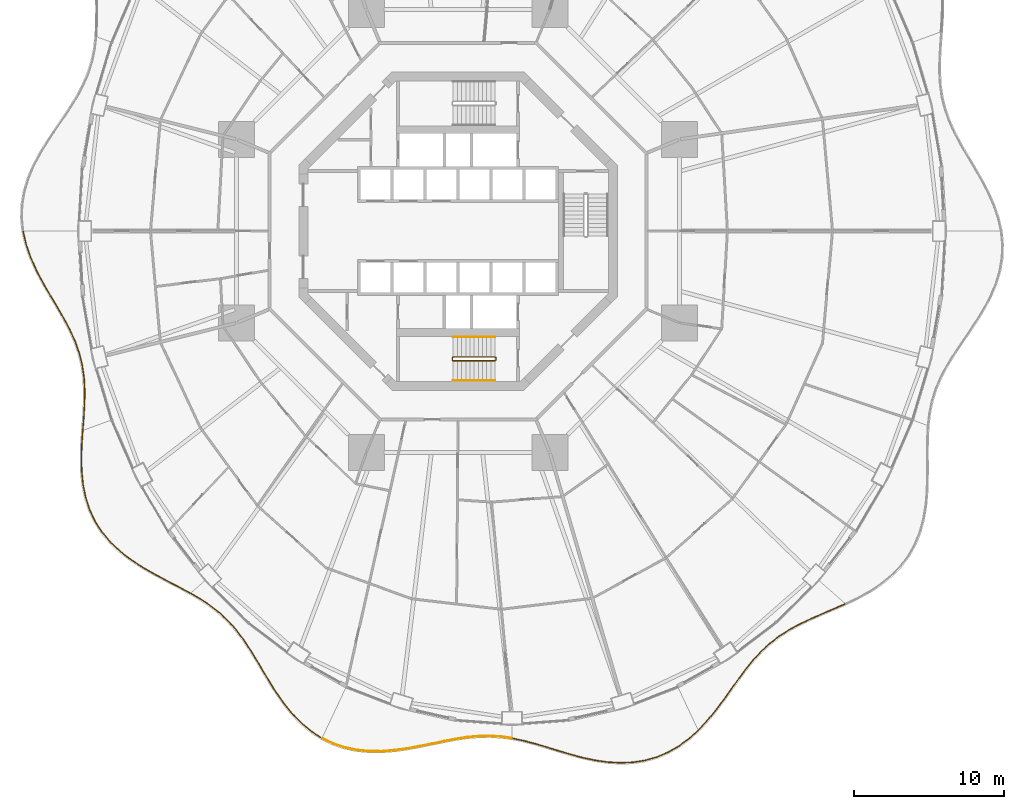
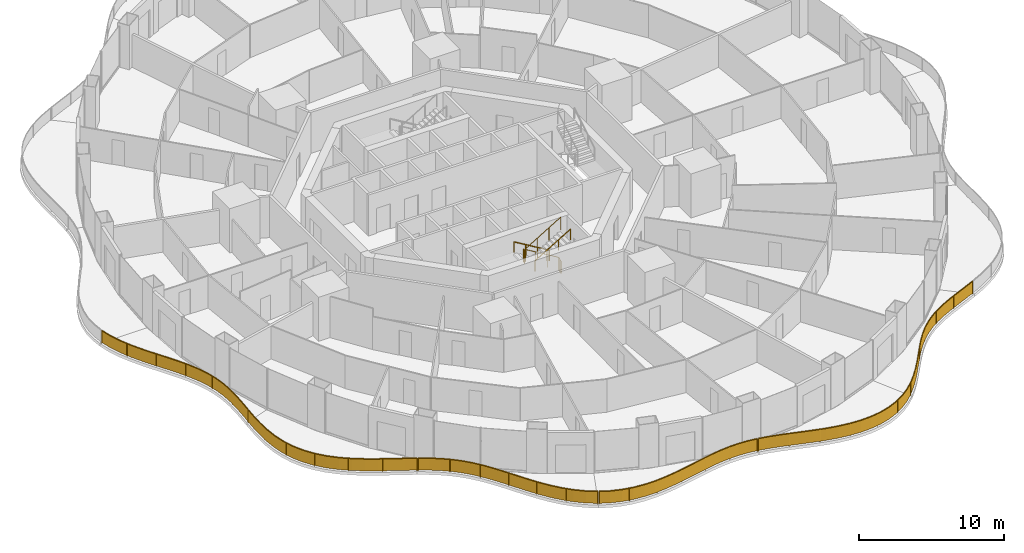
# One storey, part 21 of 23: 9 railings.
"""IFC4 building model written with IfcOpenShell, lengths in metres."""

from ifc_helpers import new_model, si_unit, direction, frame, origin, origin_2d, place, context, subcontext, project, spatial, polyline, rectangle, circle, outline, extrude, material, type_object, element, save


model = new_model("IFC4")

# Units and contexts
model_context = context("Model", 3, precision=1e-05, world=origin(), true_north=direction((0.0, 1.0)))
body_context = subcontext(model_context, "Body", "Model", "MODEL_VIEW")
ifc_project = project(units=[si_unit("LENGTHUNIT", "METRE"), si_unit("AREAUNIT", "SQUARE_METRE"), si_unit("VOLUMEUNIT", "CUBIC_METRE"), si_unit("PLANEANGLEUNIT", "RADIAN"), si_unit("MASSUNIT", "GRAM", prefix="KILO")], contexts=[model_context])

# Site, building, storey
site_placement = place(None, origin())
site = spatial("IfcSite", under=ifc_project, at=site_placement, CompositionType="ELEMENT")
building_placement = place(site_placement, origin())
building = spatial("IfcBuilding", under=site, at=building_placement, Name="Nagisa Residences", CompositionType="ELEMENT")
storey_placement = place(building_placement, frame((0.0, 0.0, 56.60009765625)))
storey = spatial("IfcBuildingStorey", under=building, at=storey_placement, Name="L13", CompositionType="ELEMENT", Elevation=56.60009765625)

# Railings
ifc_material_1 = material(Name="Stainless steel 316", Category="steel")
railing_type_1 = type_object("IfcRailingType", Name="BALCONY GUARD 1100", PredefinedType="BALUSTRADE", material=ifc_material_1)
railing_1_placement = place(storey_placement, frame((-29.011962890625, -0.037841796875, 0.0)))
element("IfcRailing", 1, at=railing_1_placement, inside=storey, type_object=railing_type_1, Name="guard:L13:bal08-0", PredefinedType="BALUSTRADE", context=body_context, shape_type="SweptSolid", body=[
    extrude(outline(polyline([(0.21533203125, -0.829833984375), (0.0244140625, 0.005615234375), (-0.0244140625, -0.005615234375), (0.1669921875, -0.843505859375), (0.46728515625, -1.71533203125), (0.84765625, -2.570068359375), (1.28515625, -3.4052734375), (1.75439453125, -4.220947265625), (2.227294921875, -5.005126953125), (2.68115234375, -5.789794921875), (3.0927734375, -6.56640625), (3.44287109375, -7.3427734375), (3.7197265625, -8.1259765625), (3.91357421875, -8.910400390625), (4.031982421875, -9.729248046875), (4.07861328125, -10.57373046875), (4.0673828125, -11.4462890625), (4.0166015625, -12.345703125), (3.949951171875, -13.2236328125), (3.999755859375, -13.2275390625), (4.06640625, -12.34912109375), (4.1171875, -11.4482421875), (4.12890625, -10.57275390625), (4.081787109375, -9.724365234375), (3.962890625, -8.900634765625), (3.767578125, -8.11181640625), (3.4892578125, -7.32421875), (3.1376953125, -6.54443359375), (2.72509765625, -5.765380859375), (2.270263671875, -4.979736328125), (1.79736328125, -4.195556640625), (1.3291015625, -3.38134765625), (0.892578125, -2.548095703125), (0.513671875, -1.69677734375), (0.21533203125, -0.829833984375)])), frame((0.0, 0.0, 1.050048828125)), (0.0, 0.0, 1.0), 0.050048828125),
    extrude(outline(polyline([(0.197998046875, -0.834716796875), (0.0068359375, 0.00146484375), (-0.0068359375, -0.00146484375), (0.184326171875, -0.838623046875), (0.48388671875, -1.708740234375), (0.86376953125, -2.56201171875), (1.301025390625, -3.396728515625), (1.769775390625, -4.2119140625), (2.24267578125, -4.99609375), (2.697021484375, -5.781005859375), (3.10888671875, -6.55859375), (3.45947265625, -7.336181640625), (3.737060546875, -8.120849609375), (3.931396484375, -8.906982421875), (4.0498046875, -9.7275390625), (4.0966796875, -10.573486328125), (4.085205078125, -11.447021484375), (4.034423828125, -12.346923828125), (3.9677734375, -13.22509765625), (3.98193359375, -13.22607421875), (4.048583984375, -12.347900390625), (4.099365234375, -11.447509765625), (4.11083984375, -10.572998046875), (4.06396484375, -9.72607421875), (3.945068359375, -8.904052734375), (3.750244140625, -8.116943359375), (3.47265625, -7.330810546875), (3.12158203125, -6.55224609375), (2.709228515625, -5.774169921875), (2.2548828125, -4.98876953125), (1.781982421875, -4.20458984375), (1.313232421875, -3.389892578125), (0.87646484375, -2.55615234375), (0.4970703125, -1.703369140625), (0.197998046875, -0.834716796875)])), frame((0.0, 0.0, 0.06005859375)), (0.0, 0.0, 1.0), 0.989990234375),
    extrude(rectangle(XDim=0.0400390625, YDim=0.0400390625, at=origin_2d()), origin(), (0.0, 0.0, 1.0), 1.050048828125),
    extrude(rectangle(XDim=0.0400390625, YDim=0.0400390625, at=origin_2d()), frame((0.72509765625, -2.233154296875, 0.0)), (0.0, 0.0, 1.0), 1.050048828125),
    extrude(rectangle(XDim=0.0400390625, YDim=0.0400390625, at=origin_2d()), frame((1.835693359375, -4.307373046875, 0.0)), (0.0, 0.0, 1.0), 1.050048828125),
    extrude(rectangle(XDim=0.0400390625, YDim=0.0400390625, at=origin_2d()), frame((3.00634765625, -6.349609375, 0.0)), (0.0, 0.0, 1.0), 1.050048828125),
    extrude(rectangle(XDim=0.0400390625, YDim=0.0400390625, at=origin_2d()), frame((3.84814453125, -8.541259765625, 0.0)), (0.0, 0.0, 1.0), 1.050048828125),
    extrude(rectangle(XDim=0.0400390625, YDim=0.0400390625, at=origin_2d()), frame((4.099853515625, -10.875, 0.0)), (0.0, 0.0, 1.0), 1.050048828125),
    extrude(rectangle(XDim=0.0400390625, YDim=0.0400390625, at=origin_2d()), frame((3.974853515625, -13.2255859375, 0.0)), (0.0, 0.0, 1.0), 1.050048828125),
])
railing_2_placement = place(storey_placement, frame((-25.044189453125, -13.33935546875, 0.0)))
element("IfcRailing", 2, at=railing_2_placement, inside=storey, type_object=railing_type_1, Name="guard:L13:bal09-0", PredefinedType="BALUSTRADE", context=body_context, shape_type="SweptSolid", body=[
    extrude(outline(polyline([(-0.033447265625, -0.865966796875), (0.02490234375, -0.001708984375), (-0.02490234375, 0.001708984375), (-0.083251953125, -0.863525390625), (-0.11279296875, -1.780517578125), (-0.090576171875, -2.69384765625), (0.001953125, -3.593017578125), (0.180419921875, -4.465087890625), (0.44873046875, -5.286865234375), (0.82470703125, -6.073974609375), (1.301513671875, -6.8056640625), (1.87255859375, -7.477783203125), (2.5263671875, -8.089111328125), (3.239501953125, -8.629638671875), (4.009765625, -9.130859375), (4.809326171875, -9.590576171875), (5.61767578125, -10.020751953125), (6.415771484375, -10.436279296875), (7.14892578125, -10.830322265625), (7.1728515625, -10.786376953125), (6.439208984375, -10.391845703125), (5.64111328125, -9.976318359375), (4.833740234375, -9.546630859375), (4.0361328125, -9.08837890625), (3.268310546875, -8.588623046875), (2.55859375, -8.051025390625), (1.90869140625, -7.443115234375), (1.341552734375, -6.77587890625), (0.86865234375, -6.049560546875), (0.4951171875, -5.268310546875), (0.228759765625, -4.452392578125), (0.05126953125, -3.585205078125), (-0.040771484375, -2.69091796875), (-0.0625, -1.780517578125), (-0.033447265625, -0.865966796875)])), frame((0.0, 0.0, 1.050048828125)), (0.0, 0.0, 1.0), 0.050048828125),
    extrude(outline(polyline([(-0.05126953125, -0.864990234375), (0.007080078125, -0.00048828125), (-0.007080078125, 0.00048828125), (-0.0654296875, -0.864501953125), (-0.0947265625, -1.780517578125), (-0.07275390625, -2.69287109375), (0.019775390625, -3.590087890625), (0.19775390625, -4.46044921875), (0.46533203125, -5.2802734375), (0.840576171875, -6.065185546875), (1.31591796875, -6.794921875), (1.885498046875, -7.46533203125), (2.5380859375, -8.075439453125), (3.25, -8.61474609375), (4.019287109375, -9.115478515625), (4.818115234375, -9.57470703125), (5.626220703125, -10.004638671875), (6.42431640625, -10.420166015625), (7.157470703125, -10.814453125), (7.164306640625, -10.80224609375), (6.4306640625, -10.407958984375), (5.632568359375, -9.992431640625), (4.824951171875, -9.5625), (4.026611328125, -9.103759765625), (3.2578125, -8.603515625), (2.546875, -8.064697265625), (1.895751953125, -7.45556640625), (1.3271484375, -6.78662109375), (0.852783203125, -6.058349609375), (0.478515625, -5.27490234375), (0.21142578125, -4.45703125), (0.033447265625, -3.588134765625), (-0.05859375, -2.69189453125), (-0.08056640625, -1.780517578125), (-0.05126953125, -0.864990234375)])), frame((0.0, 0.0, 0.06005859375)), (0.0, 0.0, 1.0), 0.989990234375),
    extrude(rectangle(XDim=0.0400390625, YDim=0.0400390625, at=origin_2d()), origin(), (0.0, 0.0, 1.0), 1.050048828125),
    extrude(rectangle(XDim=0.0400390625, YDim=0.0400390625, at=origin_2d()), frame((-0.073486328125, -2.369873046875, 0.0)), (0.0, 0.0, 1.0), 1.050048828125),
    extrude(rectangle(XDim=0.0400390625, YDim=0.0400390625, at=origin_2d()), frame((0.285400390625, -4.70654296875, 0.0)), (0.0, 0.0, 1.0), 1.050048828125),
    extrude(rectangle(XDim=0.0400390625, YDim=0.0400390625, at=origin_2d()), frame((1.3427734375, -6.815673828125, 0.0)), (0.0, 0.0, 1.0), 1.050048828125),
    extrude(rectangle(XDim=0.0400390625, YDim=0.0400390625, at=origin_2d()), frame((3.047607421875, -8.452880859375, 0.0)), (0.0, 0.0, 1.0), 1.050048828125),
    extrude(rectangle(XDim=0.0400390625, YDim=0.0400390625, at=origin_2d()), frame((5.064453125, -9.69775390625, 0.0)), (0.0, 0.0, 1.0), 1.050048828125),
    extrude(rectangle(XDim=0.0400390625, YDim=0.0400390625, at=origin_2d()), frame((7.160888671875, -10.808349609375, 0.0)), (0.0, 0.0, 1.0), 1.050048828125),
])
railing_3_placement = place(storey_placement, frame((-17.81787109375, -24.18212890625, 0.0)))
element("IfcRailing", 3, at=railing_3_placement, inside=storey, type_object=railing_type_1, Name="guard:L13:bal10-0", PredefinedType="BALUSTRADE", context=body_context, shape_type="SweptSolid", body=[
    extrude(outline(polyline([(0.674072265625, -0.367431640625), (0.0126953125, 0.021484375), (-0.0126953125, -0.021484375), (0.647216796875, -0.409912109375), (1.30029296875, -0.848876953125), (1.90478515625, -1.325439453125), (2.46142578125, -1.84716796875), (2.973876953125, -2.418701171875), (3.43798828125, -3.0302734375), (3.88818359375, -3.69921875), (4.32421875, -4.4072265625), (4.76025390625, -5.1435546875), (5.209228515625, -5.893798828125), (5.67041015625, -6.631103515625), (6.1826171875, -7.356201171875), (6.740966796875, -8.041015625), (7.35107421875, -8.66748046875), (8.015869140625, -9.22021484375), (8.69287109375, -9.659912109375), (8.72021484375, -9.617919921875), (8.045654296875, -9.1796875), (7.38525390625, -8.630859375), (6.778564453125, -8.0078125), (6.22265625, -7.325927734375), (5.7119140625, -6.603271484375), (5.251708984375, -5.867431640625), (4.80322265625, -5.1181640625), (4.3671875, -4.38134765625), (3.93017578125, -3.671875), (3.478515625, -3.0009765625), (3.012451171875, -2.386962890625), (2.4970703125, -1.81201171875), (1.9375, -1.287353515625), (1.32958984375, -0.808349609375), (0.674072265625, -0.367431640625)])), frame((0.0, 0.0, 1.050048828125)), (0.0, 0.0, 1.0), 0.050048828125),
    extrude(outline(polyline([(0.664306640625, -0.3828125), (0.003662109375, 0.006103515625), (-0.003662109375, -0.006103515625), (0.656982421875, -0.39453125), (1.310791015625, -0.834228515625), (1.91650390625, -1.311767578125), (2.47412109375, -1.83447265625), (2.98779296875, -2.4072265625), (3.45263671875, -3.019775390625), (3.9033203125, -3.689453125), (4.339599609375, -4.39794921875), (4.775634765625, -5.134521484375), (5.224609375, -5.88427734375), (5.685302734375, -6.62109375), (6.197021484375, -7.34521484375), (6.754638671875, -8.029052734375), (7.363525390625, -8.654296875), (8.026611328125, -9.20556640625), (8.70263671875, -9.644775390625), (8.71044921875, -9.633056640625), (8.034912109375, -9.1943359375), (7.372802734375, -8.64404296875), (6.764892578125, -8.019775390625), (6.208251953125, -7.3369140625), (5.697021484375, -6.61328125), (5.236328125, -5.876953125), (4.787841796875, -5.127197265625), (4.351806640625, -4.390625), (3.9150390625, -3.681640625), (3.4638671875, -3.011474609375), (2.99853515625, -2.3984375), (2.484375, -1.82470703125), (1.92578125, -1.301025390625), (1.319091796875, -0.822998046875), (0.664306640625, -0.3828125)])), frame((0.0, 0.0, 0.06005859375)), (0.0, 0.0, 1.0), 0.989990234375),
    extrude(rectangle(XDim=0.0400390625, YDim=0.0400390625, at=origin_2d()), origin(), (0.0, 0.0, 1.0), 1.050048828125),
    extrude(rectangle(XDim=0.0400390625, YDim=0.0400390625, at=origin_2d()), frame((1.818603515625, -1.2255859375, 0.0)), (0.0, 0.0, 1.0), 1.050048828125),
    extrude(rectangle(XDim=0.0400390625, YDim=0.0400390625, at=origin_2d()), frame((3.31396484375, -2.825439453125, 0.0)), (0.0, 0.0, 1.0), 1.050048828125),
    extrude(rectangle(XDim=0.0400390625, YDim=0.0400390625, at=origin_2d()), frame((4.507568359375, -4.66748046875, 0.0)), (0.0, 0.0, 1.0), 1.050048828125),
    extrude(rectangle(XDim=0.0400390625, YDim=0.0400390625, at=origin_2d()), frame((5.646240234375, -6.54541015625, 0.0)), (0.0, 0.0, 1.0), 1.050048828125),
    extrude(rectangle(XDim=0.0400390625, YDim=0.0400390625, at=origin_2d()), frame((6.999267578125, -8.2705078125, 0.0)), (0.0, 0.0, 1.0), 1.050048828125),
    extrude(rectangle(XDim=0.0400390625, YDim=0.0400390625, at=origin_2d()), frame((8.70654296875, -9.638916015625, 0.0)), (0.0, 0.0, 1.0), 1.050048828125),
])
railing_4_placement = place(storey_placement, frame((-9.0439453125, -33.859130859375, 0.0)))
element("IfcRailing", 4, at=railing_4_placement, inside=storey, type_object=railing_type_1, Name="guard:L13:bal11-0", PredefinedType="BALUSTRADE", context=body_context, shape_type="SweptSolid", body=[
    extrude(outline(polyline([(0.703857421875, -0.313232421875), (0.010986328125, 0.0224609375), (-0.010986328125, -0.0224609375), (0.684814453125, -0.359619140625), (1.46533203125, -0.624267578125), (2.2783203125, -0.7958984375), (3.115234375, -0.87890625), (3.966552734375, -0.88232421875), (4.80615234375, -0.8125), (5.658935546875, -0.695556640625), (6.501220703125, -0.54345703125), (7.327880859375, -0.37451171875), (8.135498046875, -0.207275390625), (8.90576171875, -0.056396484375), (9.6748046875, 0.05810546875), (10.428466796875, 0.126708984375), (11.171142578125, 0.140869140625), (11.9091796875, 0.096923828125), (12.60595703125, 0.000244140625), (12.61279296875, 0.050048828125), (11.9140625, 0.146728515625), (11.172119140625, 0.191162109375), (10.425537109375, 0.176513671875), (9.6689453125, 0.10791015625), (8.8974609375, -0.007080078125), (8.125732421875, -0.158447265625), (7.317626953125, -0.32568359375), (6.491943359375, -0.494140625), (5.651123046875, -0.646240234375), (4.80078125, -0.7626953125), (3.964599609375, -0.83203125), (3.11767578125, -0.8291015625), (2.2861328125, -0.74658203125), (1.478515625, -0.575927734375), (0.703857421875, -0.313232421875)])), frame((0.0, 0.0, 1.050048828125)), (0.0, 0.0, 1.0), 0.050048828125),
    extrude(outline(polyline([(0.697021484375, -0.329833984375), (0.003173828125, 0.00634765625), (-0.003173828125, -0.00634765625), (0.691650390625, -0.343017578125), (1.469970703125, -0.60693359375), (2.28125, -0.778076171875), (3.1162109375, -0.861083984375), (3.9658203125, -0.8642578125), (4.80419921875, -0.794677734375), (5.656005859375, -0.677734375), (6.497802734375, -0.525634765625), (7.32421875, -0.35693359375), (8.132080078125, -0.189697265625), (8.90283203125, -0.03857421875), (9.672607421875, 0.076171875), (10.427490234375, 0.14453125), (11.17138671875, 0.158935546875), (11.910888671875, 0.11474609375), (12.6083984375, 0.018310546875), (12.6103515625, 0.031982421875), (11.912353515625, 0.12890625), (11.171875, 0.173095703125), (10.426513671875, 0.15869140625), (9.671142578125, 0.08984375), (8.900390625, -0.02490234375), (8.129150390625, -0.176025390625), (7.3212890625, -0.34326171875), (6.495361328125, -0.511962890625), (5.654052734375, -0.6640625), (4.802734375, -0.780517578125), (3.96533203125, -0.85009765625), (3.11669921875, -0.846923828125), (2.283203125, -0.764404296875), (1.473876953125, -0.59326171875), (0.697021484375, -0.329833984375)])), frame((0.0, 0.0, 0.06005859375)), (0.0, 0.0, 1.0), 0.989990234375),
    extrude(rectangle(XDim=0.0400390625, YDim=0.0400390625, at=origin_2d()), origin(), (0.0, 0.0, 1.0), 1.050048828125),
    extrude(rectangle(XDim=0.0400390625, YDim=0.0400390625, at=origin_2d()), frame((2.00830078125, -0.71337890625, 0.0)), (0.0, 0.0, 1.0), 1.050048828125),
    extrude(rectangle(XDim=0.0400390625, YDim=0.0400390625, at=origin_2d()), frame((4.138427734375, -0.8427734375, 0.0)), (0.0, 0.0, 1.0), 1.050048828125),
    extrude(rectangle(XDim=0.0400390625, YDim=0.0400390625, at=origin_2d()), frame((6.25927734375, -0.561767578125, 0.0)), (0.0, 0.0, 1.0), 1.050048828125),
    extrude(rectangle(XDim=0.0400390625, YDim=0.0400390625, at=origin_2d()), frame((8.357666015625, -0.138427734375, 0.0)), (0.0, 0.0, 1.0), 1.050048828125),
    extrude(rectangle(XDim=0.0400390625, YDim=0.0400390625, at=origin_2d()), frame((10.4765625, 0.152587890625, 0.0)), (0.0, 0.0, 1.0), 1.050048828125),
    extrude(rectangle(XDim=0.0400390625, YDim=0.0400390625, at=origin_2d()), frame((12.609375, 0.025146484375, 0.0)), (0.0, 0.0, 1.0), 1.050048828125),
])
railing_5_placement = place(storey_placement, frame((3.63427734375, -33.847412109375, 0.0)))
element("IfcRailing", 5, at=railing_5_placement, inside=storey, type_object=railing_type_1, Name="guard:L13:bal12-0", PredefinedType="BALUSTRADE", context=body_context, shape_type="SweptSolid", body=[
    extrude(outline(polyline([(0.7109375, -0.122802734375), (0.005126953125, 0.0244140625), (-0.005126953125, -0.0244140625), (0.69970703125, -0.171630859375), (1.45947265625, -0.3701171875), (2.23583984375, -0.599609375), (3.03125, -0.843994140625), (3.84521484375, -1.085693359375), (4.658203125, -1.30810546875), (5.501220703125, -1.487548828125), (6.3505859375, -1.609375), (7.19873046875, -1.658447265625), (8.037353515625, -1.622314453125), (8.8408203125, -1.498291015625), (9.634033203125, -1.2724609375), (10.393310546875, -0.949951171875), (11.112060546875, -0.5361328125), (11.787353515625, -0.0400390625), (12.38037109375, 0.49609375), (12.3466796875, 0.533203125), (11.755615234375, -0.0009765625), (11.084716796875, -0.494140625), (10.370849609375, -0.905029296875), (9.617431640625, -1.22509765625), (8.830078125, -1.449462890625), (8.032470703125, -1.572509765625), (7.19921875, -1.608154296875), (6.35546875, -1.5595703125), (5.510009765625, -1.438232421875), (4.669921875, -1.25927734375), (3.85888671875, -1.037353515625), (3.0458984375, -0.796142578125), (2.25048828125, -0.5517578125), (1.47265625, -0.32177734375), (0.7109375, -0.122802734375)])), frame((0.0, 0.0, 1.050048828125)), (0.0, 0.0, 1.0), 0.050048828125),
    extrude(outline(polyline([(0.70703125, -0.140380859375), (0.00146484375, 0.0068359375), (-0.00146484375, -0.0068359375), (0.70361328125, -0.154052734375), (1.464111328125, -0.352783203125), (2.2412109375, -0.582275390625), (3.03662109375, -0.82666015625), (3.85009765625, -1.068359375), (4.662353515625, -1.29052734375), (5.50439453125, -1.4697265625), (6.352294921875, -1.591552734375), (7.198974609375, -1.640380859375), (8.03564453125, -1.6044921875), (8.8369140625, -1.480712890625), (9.628173828125, -1.25537109375), (10.38525390625, -0.933837890625), (11.102294921875, -0.52099609375), (11.77587890625, -0.02587890625), (12.3681640625, 0.509521484375), (12.35888671875, 0.519775390625), (11.76708984375, -0.01513671875), (11.094482421875, -0.50927734375), (10.37890625, -0.921142578125), (9.623291015625, -1.2421875), (8.833984375, -1.467041015625), (8.0341796875, -1.59033203125), (7.198974609375, -1.626220703125), (6.353759765625, -1.577392578125), (5.5068359375, -1.4560546875), (4.665771484375, -1.27685546875), (3.85400390625, -1.0546875), (3.04052734375, -0.8134765625), (2.2451171875, -0.569091796875), (1.468017578125, -0.339111328125), (0.70703125, -0.140380859375)])), frame((0.0, 0.0, 0.06005859375)), (0.0, 0.0, 1.0), 0.989990234375),
    extrude(rectangle(XDim=0.0400390625, YDim=0.0400390625, at=origin_2d()), origin(), (0.0, 0.0, 1.0), 1.050048828125),
    extrude(rectangle(XDim=0.0400390625, YDim=0.0400390625, at=origin_2d()), frame((2.123291015625, -0.540283203125, 0.0)), (0.0, 0.0, 1.0), 1.050048828125),
    extrude(rectangle(XDim=0.0400390625, YDim=0.0400390625, at=origin_2d()), frame((4.22509765625, -1.16357421875, 0.0)), (0.0, 0.0, 1.0), 1.050048828125),
    extrude(rectangle(XDim=0.0400390625, YDim=0.0400390625, at=origin_2d()), frame((6.37353515625, -1.585693359375, 0.0)), (0.0, 0.0, 1.0), 1.050048828125),
    extrude(rectangle(XDim=0.0400390625, YDim=0.0400390625, at=origin_2d()), frame((8.5576171875, -1.516845703125, 0.0)), (0.0, 0.0, 1.0), 1.050048828125),
    extrude(rectangle(XDim=0.0400390625, YDim=0.0400390625, at=origin_2d()), frame((10.614013671875, -0.7939453125, 0.0)), (0.0, 0.0, 1.0), 1.050048828125),
    extrude(rectangle(XDim=0.0400390625, YDim=0.0400390625, at=origin_2d()), frame((12.363525390625, 0.5146484375, 0.0)), (0.0, 0.0, 1.0), 1.050048828125),
])
railing_6_placement = place(storey_placement, frame((16.052490234375, -33.278076171875, 0.0)))
element("IfcRailing", 6, at=railing_6_placement, inside=storey, type_object=railing_type_1, Name="guard:L13:bal13-0", PredefinedType="BALUSTRADE", context=body_context, shape_type="SweptSolid", body=[
    extrude(outline(polyline([(0.55419921875, 0.62841796875), (-0.018310546875, 0.01708984375), (0.018310546875, -0.01708984375), (0.591796875, 0.59521484375), (1.158203125, 1.281494140625), (1.6904296875, 1.988525390625), (2.1982421875, 2.69775390625), (2.693603515625, 3.3916015625), (3.175048828125, 4.04541015625), (3.6826171875, 4.66650390625), (4.214111328125, 5.237548828125), (4.779052734375, 5.75537109375), (5.384521484375, 6.221435546875), (6.0224609375, 6.629638671875), (6.71728515625, 7.009521484375), (7.453125, 7.3623046875), (8.22216796875, 7.70068359375), (9.013916015625, 8.03955078125), (9.773193359375, 8.372314453125), (9.753173828125, 8.418212890625), (8.993896484375, 8.08544921875), (8.2021484375, 7.74658203125), (7.43212890625, 7.40771484375), (6.6943359375, 7.053955078125), (5.9970703125, 6.672607421875), (5.355712890625, 6.262451171875), (4.746826171875, 5.7939453125), (4.178955078125, 5.273193359375), (3.64501953125, 4.69921875), (3.135498046875, 4.076171875), (2.653076171875, 3.4208984375), (2.15771484375, 2.72705078125), (1.64990234375, 2.018310546875), (1.11865234375, 1.312255859375), (0.55419921875, 0.62841796875)])), frame((0.0, 0.0, 1.050048828125)), (0.0, 0.0, 1.0), 0.050048828125),
    extrude(outline(polyline([(0.567626953125, 0.616455078125), (-0.005126953125, 0.0048828125), (0.005126953125, -0.0048828125), (0.578369140625, 0.607177734375), (1.14404296875, 1.29248046875), (1.67578125, 1.999267578125), (2.18359375, 2.708251953125), (2.678955078125, 3.402099609375), (3.160888671875, 4.056396484375), (3.669189453125, 4.67822265625), (4.201416015625, 5.25048828125), (4.767333984375, 5.769287109375), (5.3740234375, 6.236328125), (6.013427734375, 6.64501953125), (6.708984375, 7.025390625), (7.445556640625, 7.378662109375), (8.21484375, 7.71728515625), (9.006591796875, 8.05615234375), (9.76611328125, 8.388916015625), (9.76025390625, 8.401611328125), (9.001220703125, 8.06884765625), (8.20947265625, 7.72998046875), (7.439697265625, 7.391357421875), (6.70263671875, 7.0380859375), (6.006103515625, 6.6572265625), (5.3662109375, 6.24755859375), (4.758544921875, 5.780029296875), (4.191650390625, 5.26025390625), (3.658447265625, 4.6875), (3.149658203125, 4.065185546875), (2.667724609375, 3.410400390625), (2.17236328125, 2.716552734375), (1.66455078125, 2.007568359375), (1.1328125, 1.30126953125), (0.567626953125, 0.616455078125)])), frame((0.0, 0.0, 0.06005859375)), (0.0, 0.0, 1.0), 0.989990234375),
    extrude(rectangle(XDim=0.0400390625, YDim=0.0400390625, at=origin_2d()), origin(), (0.0, 0.0, 1.0), 1.050048828125),
    extrude(rectangle(XDim=0.0400390625, YDim=0.0400390625, at=origin_2d()), frame((1.420166015625, 1.671142578125, 0.0)), (0.0, 0.0, 1.0), 1.050048828125),
    extrude(rectangle(XDim=0.0400390625, YDim=0.0400390625, at=origin_2d()), frame((2.70556640625, 3.449951171875, 0.0)), (0.0, 0.0, 1.0), 1.050048828125),
    extrude(rectangle(XDim=0.0400390625, YDim=0.0400390625, at=origin_2d()), frame((4.094970703125, 5.146240234375, 0.0)), (0.0, 0.0, 1.0), 1.050048828125),
    extrude(rectangle(XDim=0.0400390625, YDim=0.0400390625, at=origin_2d()), frame((5.800537109375, 6.517333984375, 0.0)), (0.0, 0.0, 1.0), 1.050048828125),
    extrude(rectangle(XDim=0.0400390625, YDim=0.0400390625, at=origin_2d()), frame((7.750244140625, 7.520263671875, 0.0)), (0.0, 0.0, 1.0), 1.050048828125),
    extrude(rectangle(XDim=0.0400390625, YDim=0.0400390625, at=origin_2d()), frame((9.76318359375, 8.395263671875, 0.0)), (0.0, 0.0, 1.0), 1.050048828125),
])
ifc_material_2 = material(Name="Stainless steel", Category="steel")
railing_type_2 = type_object("IfcRailingType", Name="Stair guard 1100", PredefinedType="GUARDRAIL", material=ifc_material_2)
railing_7_placement = place(storey_placement, frame((2.52490234375, -8.599609375, 0.0)))
element("IfcRailing", 7, at=railing_7_placement, inside=storey, type_object=railing_type_2, Name="L13 ST-S stair guard 1", PredefinedType="GUARDRAIL", context=body_context, shape_type="SweptSolid", body=[
    extrude(circle(Radius=0.02392578125, at=origin_2d()), frame((0.0, 0.0, 1.076171875), z_axis=(0.0, 1.0, 0.0), x_axis=(-1.0, 0.0, 0.0)), (0.0, 0.0, 1.0), 0.14990234375),
    extrude(circle(Radius=0.02392578125, at=origin_2d()), frame((0.0, 0.14990234375, 1.076171875), z_axis=(-0.273343290215, 0.274683208305, 0.921863645432), x_axis=(-0.708833529934, -0.705375805398, 0.0)), (0.0, 0.0, 1.0), 0.18212890625),
    extrude(circle(Radius=0.02392578125, at=origin_2d()), frame((-0.0498046875, 0.199951171875, 1.244140625), z_axis=(-0.857242210791, 0.0, 0.514913383045), x_axis=(0.0, -1.0, 0.0)), (0.0, 0.0, 1.0), 3.266357421875),
    extrude(circle(Radius=0.02392578125, at=origin_2d()), frame((-2.849853515625, 0.199951171875, 2.92578125), z_axis=(-0.707106781187, -0.707106781187, 0.0), x_axis=(0.707106781187, -0.707106781187, 0.0)), (0.0, 0.0, 1.0), 0.07080078125),
    extrude(circle(Radius=0.02392578125, at=origin_2d()), frame((-2.89990234375, 0.14990234375, 2.92578125), z_axis=(0.0, -1.0, 0.0), x_axis=(1.0, 0.0, 0.0)), (0.0, 0.0, 1.0), 0.14990234375),
    extrude(circle(Radius=0.02392578125, at=origin_2d()), frame((-2.89990234375, 0.0, 2.92578125), z_axis=(0.274243871929, -0.274243871929, 0.92172696468), x_axis=(0.707106781187, 0.707106781187, 0.0)), (0.0, 0.0, 1.0), 0.1826171875),
    extrude(circle(Radius=0.02392578125, at=origin_2d()), frame((-2.849853515625, -0.050048828125, 3.09423828125), z_axis=(0.857242210791, 0.0, 0.514913383045), x_axis=(0.0, 1.0, 0.0)), (0.0, 0.0, 1.0), 3.266357421875),
    extrude(circle(Radius=0.02099609375, at=origin_2d()), origin(), (0.0, 0.0, 1.0), 1.052001953125),
    extrude(circle(Radius=0.02099609375, at=origin_2d()), frame((0.0, 0.14990234375, 0.0)), (0.0, 0.0, 1.0), 1.052001953125),
    extrude(circle(Radius=0.02099609375, at=origin_2d()), frame((-0.0498046875, 0.199951171875, 0.16796875)), (0.0, 0.0, 1.0), 1.052001953125),
    extrude(circle(Radius=0.02099609375, at=origin_2d()), frame((-0.983154296875, 0.199951171875, 0.728515625)), (0.0, 0.0, 1.0), 1.052001953125),
    extrude(circle(Radius=0.02099609375, at=origin_2d()), frame((-1.91650390625, 0.199951171875, 1.289306640625)), (0.0, 0.0, 1.0), 1.052001953125),
    extrude(circle(Radius=0.02099609375, at=origin_2d()), frame((-2.849853515625, 0.199951171875, 1.849853515625)), (0.0, 0.0, 1.0), 1.052001953125),
    extrude(circle(Radius=0.02099609375, at=origin_2d()), frame((-2.89990234375, 0.14990234375, 1.849853515625)), (0.0, 0.0, 1.0), 1.052001953125),
    extrude(circle(Radius=0.02099609375, at=origin_2d()), frame((-2.89990234375, 0.0, 1.849853515625)), (0.0, 0.0, 1.0), 1.052001953125),
    extrude(circle(Radius=0.02099609375, at=origin_2d()), frame((-2.849853515625, -0.050048828125, 2.01806640625)), (0.0, 0.0, 1.0), 1.052001953125),
    extrude(circle(Radius=0.02099609375, at=origin_2d()), frame((-1.91650390625, -0.050048828125, 2.57861328125)), (0.0, 0.0, 1.0), 1.052001953125),
    extrude(circle(Radius=0.02099609375, at=origin_2d()), frame((-0.983154296875, -0.050048828125, 3.139404296875)), (0.0, 0.0, 1.0), 1.052001953125),
    extrude(circle(Radius=0.02099609375, at=origin_2d()), frame((-0.0498046875, -0.050048828125, 3.699951171875)), (0.0, 0.0, 1.0), 1.052001953125),
])
ifc_material_3 = material(Name="Stainless steel", Category="steel")
railing_type_3 = type_object("IfcRailingType", Name="Stair handrail 900", PredefinedType="HANDRAIL", material=ifc_material_3)
railing_8_placement = place(storey_placement, frame((2.47509765625, -7.07470703125, 0.16796875)))
element("IfcRailing", 8, at=railing_8_placement, inside=storey, type_object=railing_type_3, Name="L13 ST-S stair handrail 1", PredefinedType="HANDRAIL", context=body_context, shape_type="SweptSolid", body=[
    extrude(circle(Radius=0.02392578125, at=origin_2d()), frame((0.0, 0.0, 0.8759765625), z_axis=(-0.857242210791, 0.0, 0.514913383045), x_axis=(0.0, -1.0, 0.0)), (0.0, 0.0, 1.0), 3.266357421875),
    extrude(circle(Radius=0.02099609375, at=origin_2d()), origin(), (0.0, 0.0, 1.0), 0.851806640625),
    extrude(circle(Radius=0.02099609375, at=origin_2d()), frame((-0.933349609375, 0.0, 0.560546875)), (0.0, 0.0, 1.0), 0.851806640625),
    extrude(circle(Radius=0.02099609375, at=origin_2d()), frame((-1.86669921875, 0.0, 1.121337890625)), (0.0, 0.0, 1.0), 0.851806640625),
    extrude(circle(Radius=0.02099609375, at=origin_2d()), frame((-2.800048828125, 0.0, 1.681884765625)), (0.0, 0.0, 1.0), 0.851806640625),
])
railing_9_placement = place(storey_placement, frame((-0.324951171875, -9.974609375, 2.01806640625)))
element("IfcRailing", 9, at=railing_9_placement, inside=storey, type_object=railing_type_3, Name="L13 ST-S stair handrail 2", PredefinedType="HANDRAIL", context=body_context, shape_type="SweptSolid", body=[
    extrude(circle(Radius=0.02392578125, at=origin_2d()), frame((0.0, 0.0, 0.8759765625), z_axis=(0.857242210791, 0.0, 0.514913383045), x_axis=(0.0, 1.0, 0.0)), (0.0, 0.0, 1.0), 3.266357421875),
    extrude(circle(Radius=0.02099609375, at=origin_2d()), origin(), (0.0, 0.0, 1.0), 0.851806640625),
    extrude(circle(Radius=0.02099609375, at=origin_2d()), frame((0.933349609375, 0.0, 0.560546875)), (0.0, 0.0, 1.0), 0.851806640625),
    extrude(circle(Radius=0.02099609375, at=origin_2d()), frame((1.86669921875, 0.0, 1.121337890625)), (0.0, 0.0, 1.0), 0.851806640625),
    extrude(circle(Radius=0.02099609375, at=origin_2d()), frame((2.800048828125, 0.0, 1.681884765625)), (0.0, 0.0, 1.0), 0.851806640625),
])

save(model, "model.ifc")
